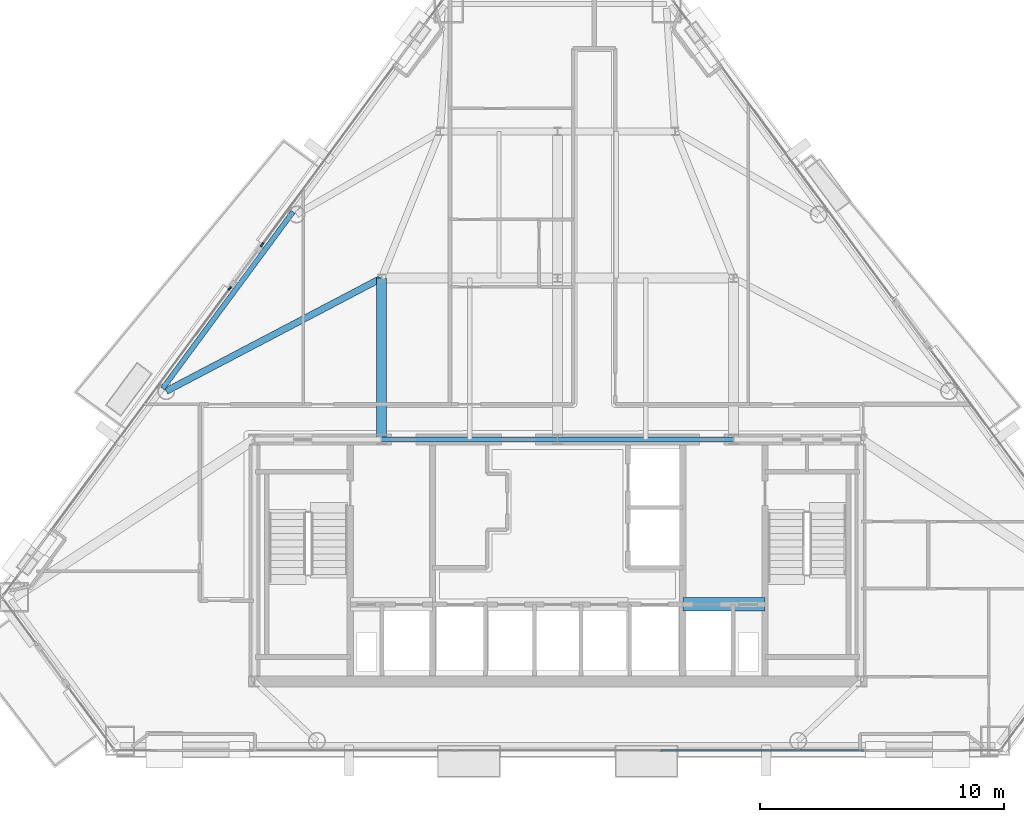
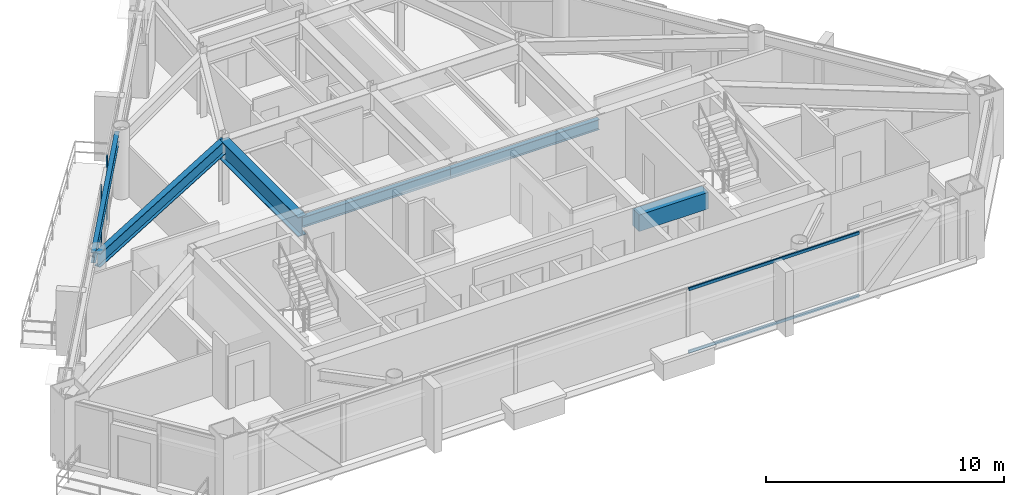
# One storey, part 4 of 12: 6 beams, 4 members, 3 elements without a shape of their own.
"""IFC4 building model written with IfcOpenShell, lengths in metres."""

from ifc_helpers import new_model, si_unit, direction, frame, origin, origin_2d, place, context, subcontext, project, spatial, rectangle, i_section, extrude, material, layer, layer_set, material_profile, profile_set, type_object, element, aggregate, save


model = new_model("IFC4")

# Units and contexts
model_context = context("Model", 3, precision=1e-05, world=origin(), true_north=direction((0.0, 1.0)))
body_context = subcontext(model_context, "Body", "Model", "MODEL_VIEW")
ifc_project = project(units=[si_unit("LENGTHUNIT", "METRE"), si_unit("AREAUNIT", "SQUARE_METRE"), si_unit("VOLUMEUNIT", "CUBIC_METRE"), si_unit("PLANEANGLEUNIT", "RADIAN"), si_unit("MASSUNIT", "GRAM", prefix="KILO")], contexts=[model_context])

# Site, building, storey
site_placement = place(None, origin())
site = spatial("IfcSite", under=ifc_project, at=site_placement, CompositionType="ELEMENT")
building_placement = place(site_placement, origin())
building = spatial("IfcBuilding", under=site, at=building_placement, Name="Talgorran Terracotta Tower", CompositionType="ELEMENT")
storey_placement = place(building_placement, frame((0.0, 0.0, 165.300048828125)))
storey = spatial("IfcBuildingStorey", under=building, at=storey_placement, Name="L43", CompositionType="ELEMENT", Elevation=165.300048828125)

# Beams
ifc_material_1 = material(Name="Steel Grade 350 (350L0)", Category="steel")
ifc_material_profile_1 = material_profile(ifc_material_1, i_section(OverallWidth=0.39990234375, OverallDepth=1.0, WebThickness=0.01611328125, FlangeThickness=0.031005859375, at=origin_2d()), Name="1000WB296")
ifc_profile_set_1 = profile_set([ifc_material_profile_1], Name="Steel Grade 350 (350L0)")
beam_type_1 = type_object("IfcBeamType", Name="BM_1000WB296", PredefinedType="BEAM", material=ifc_profile_set_1)
beam_1_placement = place(storey_placement, frame((-7.199951171875, -4.199951171875, 2.780029296875), z_axis=(0.0, 1.0, 0.0), x_axis=(-1.0, 0.0, 0.0)))
element("IfcBeam", 1, at=beam_1_placement, inside=storey, type_object=beam_type_1, Name="L43 Floor Girder G01", PredefinedType="BEAM", context=body_context, shape_type="SweptSolid", body=[
    extrude(i_section(OverallWidth=0.39990234375, OverallDepth=1.0, WebThickness=0.01611328125, FlangeThickness=0.031005859375, at=origin_2d()), origin(), (0.0, 0.0, 1.0), 6.599853515625),
])
ifc_material_2 = material(Name="Steel S355 (300PLUS)", Category="steel")
ifc_material_profile_2 = material_profile(ifc_material_2, i_section(OverallWidth=0.27490234375, OverallDepth=0.7080078125, WebThickness=0.011962890625, FlangeThickness=0.02490234375, at=origin_2d()), Name="700WB173")
ifc_profile_set_2 = profile_set([ifc_material_profile_2], Name="Steel S355 (300PLUS)")
beam_type_2 = type_object("IfcBeamType", Name="BM_700WB173", PredefinedType="BEAM", material=ifc_profile_set_2)
beam_2_placement = place(storey_placement, frame((-7.199951171875, 2.39990234375, 2.926025390625), z_axis=(-0.885527866822, -0.464586264414, 0.0), x_axis=(0.464586264414, -0.885527866822, 0.0)))
element("IfcBeam", 2, at=beam_2_placement, inside=storey, type_object=beam_type_2, Name="L43 Floor Girder G06", PredefinedType="BEAM", context=body_context, shape_type="SweptSolid", body=[
    extrude(i_section(OverallWidth=0.27490234375, OverallDepth=0.7080078125, WebThickness=0.011962890625, FlangeThickness=0.02490234375, at=origin_2d()), origin(), (0.0, 0.0, 1.0), 9.951416015625),
])
ifc_material_3 = material(Name="Concrete C50/60", Category="concrete")
ifc_material_profile_3 = material_profile(ifc_material_3, rectangle(XDim=0.550048828125, YDim=0.85009765625, at=origin_2d()), Name="RCCB550X850")
ifc_profile_set_3 = profile_set([ifc_material_profile_3], Name="Concrete C50/60")
beam_type_3 = type_object("IfcBeamType", Name="BM_CB_550X850", PredefinedType="LINTEL", material=ifc_profile_set_3)
beam_3_placement = place(storey_placement, frame((5.1201171875, -10.949951171875, 2.85498046875), z_axis=(1.0, 0.0, 0.0), x_axis=(0.0, 1.0, 0.0)))
element("IfcBeam", 3, at=beam_3_placement, inside=storey, type_object=beam_type_3, Name="L43 Core Shear-Wall Coupling Beam CB3", PredefinedType="LINTEL", context=body_context, shape_type="SweptSolid", body=[
    extrude(rectangle(XDim=0.550048828125, YDim=0.85009765625, at=origin_2d()), origin(), (0.0, 0.0, 1.0), 3.35986328125),
])
ifc_material_profile_4 = material_profile(ifc_material_2, i_section(OverallWidth=0.209228515625, OverallDepth=0.532958984375, WebThickness=0.01025390625, FlangeThickness=0.015625, at=origin_2d()), Name="530UB92.4")
ifc_profile_set_4 = profile_set([ifc_material_profile_4], Name="Steel S355 (300PLUS)")
beam_type_4 = type_object("IfcBeamType", Name="BM_SP_530UB92", PredefinedType="SPANDREL", material=ifc_profile_set_4)
beam_4_placement = place(storey_placement, frame((-10.823974609375, 5.1103515625, 3.013427734375), z_axis=(-0.593775624387, -0.804630665513, 0.0), x_axis=(0.804630665513, -0.593775624387, 0.0)))
element("IfcBeam", 4, at=beam_4_placement, inside=storey, type_object=beam_type_4, Name="L43 Perimeter Spandrel Beam FC5-FC6", PredefinedType="SPANDREL", context=body_context, shape_type="SweptSolid", body=[
    extrude(i_section(OverallWidth=0.209228515625, OverallDepth=0.532958984375, WebThickness=0.01025390625, FlangeThickness=0.015625, at=origin_2d()), origin(), (0.0, 0.0, 1.0), 8.9814453125),
])
for number, where, z_axis, x_axis, name in (
    (5, (-7.199951171875, -4.199951171875, 3.013427734375), (1.0, 0.0, 0.0), (0.0, 1.0, 0.0), "L43 Core Frame Beam CFN2"),
    (6, (0.0, -4.199951171875, 3.013427734375), (1.0, 0.0, 0.0), (0.0, 1.0, 0.0), "L43 Core Frame Beam CFN3"),
):
    element("IfcBeam", number, at=place(storey_placement, frame(where, z_axis=z_axis, x_axis=x_axis)), inside=storey, type_object=beam_type_4, Name=name, PredefinedType="SPANDREL", context=body_context, shape_type="SweptSolid", body=[
        extrude(i_section(OverallWidth=0.209228515625, OverallDepth=0.532958984375, WebThickness=0.01025390625, FlangeThickness=0.015625, at=origin_2d()), origin(), (0.0, 0.0, 1.0), 7.199951171875),
    ])

# Curtain wall, member
ifc_material_4 = material(Name="Unitised Low-E Double Glazing", Category="glass")
ifc_layer = layer(ifc_material_4, 0.199951171875, Name="CW_SYS2_RES_LOW")
ifc_layer_set = layer_set([ifc_layer], Name="Unitised Low-E Double Glazing")
curtain_wall_type = type_object("IfcCurtainWallType", Name="CW_SYS2_RES_LOW", PredefinedType="NOTDEFINED", material=ifc_layer_set)
curtain_wall_1_placement = place(storey_placement, origin())
curtain_wall_1 = element("IfcCurtainWall", 7, at=curtain_wall_1_placement, inside=storey, type_object=curtain_wall_type, Name="CW-L43-F60C", PredefinedType="NOTDEFINED")
ifc_material_5 = material(Name="Architectural Aluminium 6063-T6", Category="aluminium")
ifc_material_profile_5 = material_profile(ifc_material_5, rectangle(XDim=0.06494140625, YDim=0.18505859375, at=origin_2d()), Name="CWM65X185")
ifc_profile_set_5 = profile_set([ifc_material_profile_5], Name="Architectural Aluminium 6063-T6")
member_type_1 = type_object("IfcMemberType", Name="MUL_65X185", PredefinedType="MULLION", material=ifc_profile_set_5)
member_1_placement = place(storey_placement, frame((-12.08984375, 3.765380859375, 0.0), z_axis=(0.0, 0.0, 1.0), x_axis=(0.804623997397, -0.593784660305, 0.0)))
member_1 = element("IfcMember", 8, at=member_1_placement, type_object=member_type_1, Name="CW-L43-60C mullion 2", PredefinedType="MULLION", context=body_context, shape_type="SweptSolid", body=[
    extrude(rectangle(XDim=0.06494140625, YDim=0.18505859375, at=origin_2d()), origin(), (0.0, 0.0, 1.0), 3.280029296875),
])
aggregate(curtain_wall_1, [member_1])

curtain_wall_2_placement = place(storey_placement, origin())
curtain_wall_2 = element("IfcCurtainWall", 9, at=curtain_wall_2_placement, inside=storey, type_object=curtain_wall_type, Name="CW-L43-F61", PredefinedType="NOTDEFINED")
member_2_placement = place(storey_placement, frame((-13.410888671875, 1.97509765625, 0.0), z_axis=(0.0, 0.0, 1.0), x_axis=(0.804621127351, -0.593788549418, 0.0)))
member_2 = element("IfcMember", 10, at=member_2_placement, type_object=member_type_1, Name="CW-L43-61 mullion 1", PredefinedType="MULLION", context=body_context, shape_type="SweptSolid", body=[
    extrude(rectangle(XDim=0.06494140625, YDim=0.18505859375, at=origin_2d()), origin(), (0.0, 0.0, 1.0), 3.280029296875),
])
aggregate(curtain_wall_2, [member_2])

# Curtain wall, members
curtain_wall_3_placement = place(storey_placement, origin())
curtain_wall_3 = element("IfcCurtainWall", 11, at=curtain_wall_3_placement, inside=storey, type_object=curtain_wall_type, Name="CW-L43-F1C", PredefinedType="NOTDEFINED")
ifc_material_profile_6 = material_profile(ifc_material_5, rectangle(XDim=0.06494140625, YDim=0.14990234375, at=origin_2d()), Name="CWT65X150")
ifc_profile_set_6 = profile_set([ifc_material_profile_6], Name="Architectural Aluminium 6063-T6")
member_type_2 = type_object("IfcMemberType", Name="TRN_65X150", PredefinedType="USERDEFINED", material=ifc_profile_set_6)
member_3_placement = place(storey_placement, frame((4.224609375, -16.929931640625, 0.032470703125), z_axis=(1.0, 0.0, 0.0), x_axis=(0.0, 1.0, 0.0)))
member_3 = element("IfcMember", 12, at=member_3_placement, type_object=member_type_2, Name="CW-L43-1C transom 3.1", ObjectType="TRANSOM", PredefinedType="USERDEFINED", context=body_context, shape_type="SweptSolid", body=[
    extrude(rectangle(XDim=0.06494140625, YDim=0.14990234375, at=origin_2d()), origin(), (0.0, 0.0, 1.0), 8.286376953125),
])
member_4_placement = place(storey_placement, frame((4.224609375, -16.929931640625, 3.24755859375), z_axis=(1.0, 0.0, 0.0), x_axis=(0.0, 1.0, 0.0)))
member_4 = element("IfcMember", 13, at=member_4_placement, type_object=member_type_2, Name="CW-L43-1C transom 3.2", ObjectType="TRANSOM", PredefinedType="USERDEFINED", context=body_context, shape_type="SweptSolid", body=[
    extrude(rectangle(XDim=0.06494140625, YDim=0.14990234375, at=origin_2d()), origin(), (0.0, 0.0, 1.0), 8.286376953125),
])
aggregate(curtain_wall_3, [member_3, member_4])

save(model, "model.ifc")
